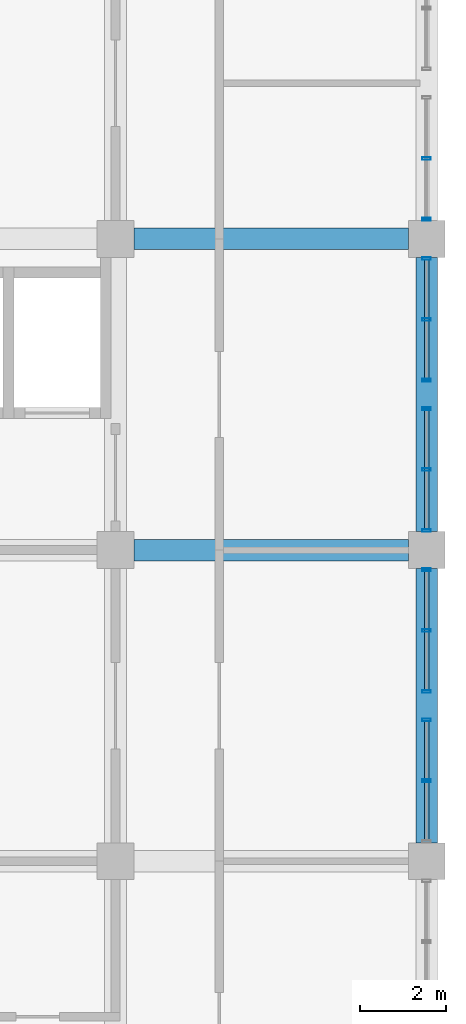
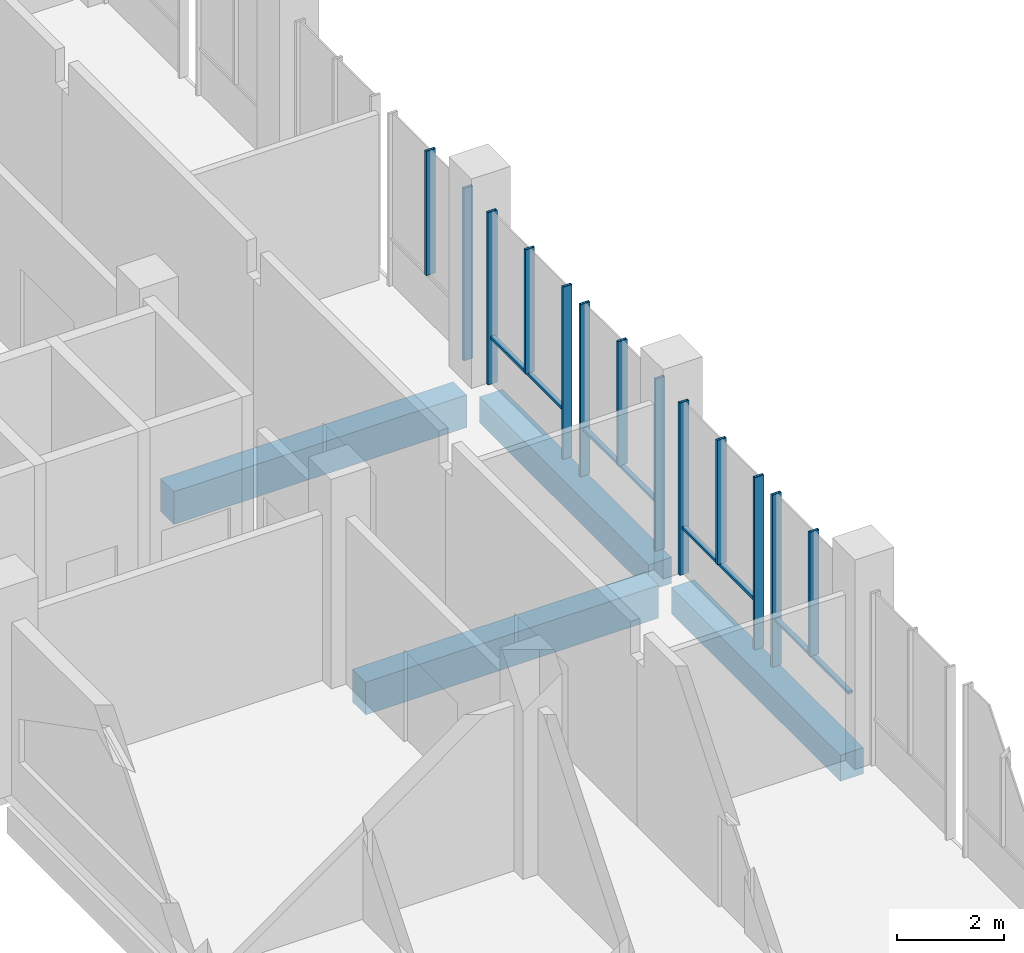
# One storey, part 18 of 40: 17 members, 4 beams, 5 elements without a shape of their own.
"""IFC4 building model written with IfcOpenShell, lengths in metres."""

import ifcopenshell
import ifcopenshell.guid

model = None  # the IFC model being written
_history = None  # IfcOwnerHistory: only IFC2X3 demands one
_inside = {}  # id of a spatial element -> (the spatial element, [elements in it])
_under = {}  # id of a project, library or spatial element -> (it, [spatial elements below it])
_declared = {}  # id of a project -> (the project, [libraries it declares])
_typed = {}  # id of a type object -> (the type object, [elements of that type])
_made_of = {}  # id of a material, layer set ... -> (it, [elements and type objects made of it])


def new_model(schema):
    """Start an empty IFC model of exactly this schema.

    Asked for "IFC4X3", IfcOpenShell would pick the latest addendum, in which some entities
    have other attributes; the version numbers below select the first issue.
    IFC2X3 requires an IfcOwnerHistory on every rooted entity: one is made here for all.
    """
    global model, _history
    if schema == "IFC4X3":
        model = ifcopenshell.file(schema_version=(4, 3, 0, 0))
    else:
        model = ifcopenshell.file(schema=schema)
    _inside.clear()
    _under.clear()
    _declared.clear()
    _typed.clear()
    _made_of.clear()
    _history = None
    if model.schema == "IFC2X3":
        org = make("IfcOrganization", Name="unknown")
        user = make(
            "IfcPersonAndOrganization",
            ThePerson=make("IfcPerson", FamilyName="unknown"),
            TheOrganization=org,
        )
        app = make(
            "IfcApplication",
            ApplicationDeveloper=org,
            Version="unknown",
            ApplicationFullName="unknown",
            ApplicationIdentifier="unknown",
        )
        _history = make(
            "IfcOwnerHistory",
            OwningUser=user,
            OwningApplication=app,
            ChangeAction="ADDED",
            CreationDate=0,
        )
    return model


def make(cls, **values):
    """One entity of the class cls with the attributes given. An attribute that is None is left unset."""
    return model.create_entity(
        cls, **{name: value for name, value in values.items() if value is not None}
    )


def rooted(cls, **values):
    """An entity with a GlobalId (a new one), such as an element, a storey or a relation."""
    return make(cls, GlobalId=ifcopenshell.guid.new(), OwnerHistory=_history, **values)


def si_unit(unit_type, name, prefix=None):
    """IfcSIUnit, for example si_unit("LENGTHUNIT", "METRE", prefix="MILLI")."""
    return make("IfcSIUnit", UnitType=unit_type, Prefix=prefix, Name=name)


def assignment(units):
    """IfcUnitAssignment: the units of a project."""
    return None if units is None else make("IfcUnitAssignment", Units=units)


def point(xyz):
    """IfcCartesianPoint."""
    return None if xyz is None else make("IfcCartesianPoint", Coordinates=xyz)


def direction(xyz):
    """IfcDirection."""
    return None if xyz is None else make("IfcDirection", DirectionRatios=xyz)


def frame(location, z_axis=None, x_axis=None):
    """IfcAxis2Placement3D, a coordinate frame: its origin and axes. An axis left out is left unset."""
    return make(
        "IfcAxis2Placement3D",
        Location=point(location),
        Axis=direction(z_axis),
        RefDirection=direction(x_axis),
    )


def frame_2d(location, x_axis=None):
    """IfcAxis2Placement2D, a coordinate frame in the plane: its origin and x axis."""
    return make(
        "IfcAxis2Placement2D", Location=point(location), RefDirection=direction(x_axis)
    )


def origin():
    """The frame at (0, 0, 0) with its axes left unset."""
    return frame((0.0, 0.0, 0.0))


def origin_2d():
    """The frame at (0, 0) in the plane with its x axis left unset."""
    return frame_2d((0.0, 0.0))


def place(relative_to, where):
    """IfcLocalPlacement: puts the frame where relative to a parent placement (None: the world)."""
    return make(
        "IfcLocalPlacement", PlacementRelTo=relative_to, RelativePlacement=where
    )


def context(
    kind, dimensions, precision=None, world=None, true_north=None, identifier=None
):
    """IfcGeometricRepresentationContext, for example the 3D "Model" context."""
    return make(
        "IfcGeometricRepresentationContext",
        ContextIdentifier=identifier,
        ContextType=kind,
        CoordinateSpaceDimension=dimensions,
        Precision=precision,
        WorldCoordinateSystem=world,
        TrueNorth=true_north,
    )


def subcontext(parent, identifier, kind, view, scale=None):
    """IfcGeometricRepresentationSubContext, for example "Body" below "Model"."""
    return make(
        "IfcGeometricRepresentationSubContext",
        ContextIdentifier=identifier,
        ContextType=kind,
        ParentContext=parent,
        TargetScale=scale,
        TargetView=view,
    )


def project(units=None, contexts=None):
    """IfcProject with its units and contexts."""
    return rooted(
        "IfcProject",
        Name="project",
        RepresentationContexts=contexts,
        UnitsInContext=assignment(units),
    )


def spatial(cls, under=None, at=None, **own):
    """A site, building, storey or space (cls), placed at a placement, below another one or the project."""
    s = rooted(cls, ObjectPlacement=at, **own)
    if under is not None:
        _under.setdefault(under.id(), (under, []))[1].append(s)
    return s


def profile(cls, at=None, kind="AREA", **sizes):
    """A parametric profile (cls). Its sizes go by their IFC names, for example OverallWidth=200.0."""
    return make(cls, ProfileType=kind, Position=at, **sizes)


def rectangle(**sizes):
    """IfcRectangleProfileDef."""
    return profile("IfcRectangleProfileDef", **sizes)


def hollow_rectangle(**sizes):
    """IfcRectangleHollowProfileDef."""
    return profile("IfcRectangleHollowProfileDef", **sizes)


def extrude(swept, where, along, depth):
    """IfcExtrudedAreaSolid: the profile swept, set in the frame where, extruded along a direction by depth."""
    return make(
        "IfcExtrudedAreaSolid",
        SweptArea=swept,
        Position=where,
        ExtrudedDirection=direction(along),
        Depth=depth,
    )


def shape(context_of_items, identifier, shape_type, items):
    """IfcShapeRepresentation: the items that make up one representation, for example the "Body"."""
    return make(
        "IfcShapeRepresentation",
        ContextOfItems=context_of_items,
        RepresentationIdentifier=identifier,
        RepresentationType=shape_type,
        Items=items,
    )


def material(Name=None, Category=None):
    """IfcMaterial."""
    return make("IfcMaterial", Name=Name, Category=Category)


def material_profile(
    of_material, cross_section, Name=None, Category=None, Priority=None
):
    """IfcMaterialProfile: a cross section and its material."""
    return make(
        "IfcMaterialProfile",
        Name=Name,
        Material=of_material,
        Profile=cross_section,
        Priority=Priority,
        Category=Category,
    )


def profile_set(profiles, Name=None, composite=None):
    """IfcMaterialProfileSet."""
    return make(
        "IfcMaterialProfileSet",
        Name=Name,
        MaterialProfiles=profiles,
        CompositeProfile=composite,
    )


def made_of(thing, what):
    """Note that an element or type object is made of a material, layer set ...; save() writes the relation."""
    if what is not None:
        _made_of.setdefault(what.id(), (what, []))[1].append(thing)
    return thing


def type_object(cls, material=None, **own):
    """A type object (cls), such as IfcWallType, which elements share."""
    return made_of(rooted(cls, **own), material)


def element(
    cls,
    number,
    at=None,
    inside=None,
    cuts=None,
    type_object=None,
    material=None,
    context=None,
    identifier="Body",
    shape_type=None,
    held_by="IfcProductDefinitionShape",
    body=None,
    shapes=None,
    **own,
):
    """One element of the class cls, such as IfcWall. Its Tag is "e" and its number.

    at: its placement. inside: the storey or other place that contains it. cuts: it is an
    opening in that element (IfcRelVoidsElement). A single representation is given by context,
    identifier, shape_type and body (its items); several are given by shapes. held_by: the class
    of the entity that holds the representations. save() writes the other relations.
    """
    e = rooted(cls, Tag="e%d" % number, ObjectPlacement=at, **own)
    if body is not None:
        shapes = [shape(context, identifier, shape_type, body)]
    if shapes is not None:
        e.Representation = make(held_by, Representations=shapes)
    if inside is not None:
        _inside.setdefault(inside.id(), (inside, []))[1].append(e)
    if cuts is not None:
        rooted(
            "IfcRelVoidsElement", RelatingBuildingElement=cuts, RelatedOpeningElement=e
        )
    if type_object is not None:
        _typed.setdefault(type_object.id(), (type_object, []))[1].append(e)
    return made_of(e, material)


def aggregate(whole, parts):
    """IfcRelAggregates: a whole, such as a stair, and the parts it consists of."""
    return rooted("IfcRelAggregates", RelatingObject=whole, RelatedObjects=parts)


def save(model, path):
    """Write the relations noted so far, then the file.

    IfcRelAggregates (storeys below a building ...), IfcRelContainedInSpatialStructure (elements
    in a storey), IfcRelDefinesByType, IfcRelAssociatesMaterial and IfcRelDeclares: one each for
    every whole, place, type object, material and project.
    """
    for whole, parts in _under.values():
        aggregate(whole, parts)
    for where, things in _inside.values():
        rooted(
            "IfcRelContainedInSpatialStructure",
            RelatedElements=things,
            RelatingStructure=where,
        )
    for kind, things in _typed.values():
        rooted("IfcRelDefinesByType", RelatedObjects=things, RelatingType=kind)
    for what, things in _made_of.values():
        rooted("IfcRelAssociatesMaterial", RelatedObjects=things, RelatingMaterial=what)
    for by, libraries in _declared.values():
        rooted("IfcRelDeclares", RelatingContext=by, RelatedDefinitions=libraries)
    model.write(path)


model = new_model("IFC4")

# Units and contexts
model_context = context("Model", 3, precision=1e-05, world=origin(), true_north=direction((0.0, 1.0)))
body_context = subcontext(model_context, "Body", "Model", "MODEL_VIEW")
ifc_project = project(units=[si_unit("LENGTHUNIT", "METRE"), si_unit("AREAUNIT", "SQUARE_METRE"), si_unit("VOLUMEUNIT", "CUBIC_METRE"), si_unit("PLANEANGLEUNIT", "RADIAN"), si_unit("MASSUNIT", "GRAM", prefix="KILO")], contexts=[model_context])

# Site, building, storey
site_placement = place(None, origin())
site = spatial("IfcSite", under=ifc_project, at=site_placement, CompositionType="ELEMENT")
building_placement = place(site_placement, origin())
building = spatial("IfcBuilding", under=site, at=building_placement, Name="Silangan Lancet Faculty of Sciences", CompositionType="ELEMENT")
storey_placement = place(building_placement, frame((0.0, 0.0, 16.800048828125)))
storey = spatial("IfcBuildingStorey", under=building, at=storey_placement, Name="L03", CompositionType="ELEMENT", Elevation=16.800048828125)

# Beams
ifc_material_1 = material(Name="Concrete C40/50", Category="concrete")
ifc_material_profile_1 = material_profile(ifc_material_1, rectangle(XDim=0.5, YDim=0.60009765625, at=origin_2d()), Name="RC 500x600")
ifc_profile_set_1 = profile_set([ifc_material_profile_1], Name="Concrete C40/50")
beam_type_1 = type_object("IfcBeamType", Name="BEAM RC 500x600", PredefinedType="BEAM", material=ifc_profile_set_1)
for number, where, z_axis, x_axis, name in (
    (1, (86.39990234375, 14.824951171875, -0.550048828125), (0.0, 1.0, 0.0), (-1.0, 0.0, 0.0), "BM-L03-13C-13D"),
    (2, (86.39990234375, 22.02490234375, -0.550048828125), (0.0, 1.0, 0.0), (-1.0, 0.0, 0.0), "BM-L03-13D-13E"),
):
    element("IfcBeam", number, at=place(storey_placement, frame(where, z_axis=z_axis, x_axis=x_axis)), inside=storey, type_object=beam_type_1, Name=name, PredefinedType="BEAM", context=body_context, shape_type="SweptSolid", body=[
        extrude(rectangle(XDim=0.5, YDim=0.60009765625, at=origin_2d()), origin(), (0.0, 0.0, 1.0), 6.35009765625),
    ])
ifc_material_2 = material(Name="Concrete C40/50", Category="concrete")
ifc_material_profile_2 = material_profile(ifc_material_2, rectangle(XDim=0.5, YDim=0.75, at=origin_2d()), Name="RC 500x750")
ifc_profile_set_2 = profile_set([ifc_material_profile_2], Name="Concrete C40/50")
beam_type_2 = type_object("IfcBeamType", Name="BEAM RC 500x750", PredefinedType="BEAM", material=ifc_profile_set_2)
for number, where, z_axis, x_axis, name in (
    (3, (79.625, 21.60009765625, -0.625), (1.0, 0.0, 0.0), (0.0, 1.0, 0.0), "BM-L03-12D-13D"),
    (4, (79.625, 28.800048828125, -0.625), (1.0, 0.0, 0.0), (0.0, 1.0, 0.0), "BM-L03-12E-13E"),
):
    element("IfcBeam", number, at=place(storey_placement, frame(where, z_axis=z_axis, x_axis=x_axis)), inside=storey, type_object=beam_type_2, Name=name, PredefinedType="BEAM", context=body_context, shape_type="SweptSolid", body=[
        extrude(rectangle(XDim=0.5, YDim=0.75, at=origin_2d()), origin(), (0.0, 0.0, 1.0), 6.35009765625),
    ])

# Curtain wall, members
ifc_material_3 = material(Name="Aluminium framed curtain wall with insulated glass", Category="aluminium")
curtain_wall_type = type_object("IfcCurtainWallType", Name="CW1 Commons and east block glazing", PredefinedType="NOTDEFINED", material=ifc_material_3)
curtain_wall_1_placement = place(storey_placement, origin())
curtain_wall_1 = element("IfcCurtainWall", 5, at=curtain_wall_1_placement, inside=storey, type_object=curtain_wall_type, Name="CW1 East commons L03 bay 3", PredefinedType="NOTDEFINED")
ifc_material_4 = material(Name="Aluminium 6063-T6 extrusion", Category="aluminium")
ifc_material_profile_3 = material_profile(ifc_material_4, hollow_rectangle(XDim=0.06005859375, YDim=0.199951171875, WallThickness=0.00390625, at=origin_2d()), Name="AL BOX 60x200x4")
ifc_profile_set_3 = profile_set([ifc_material_profile_3], Name="Aluminium 6063-T6 extrusion")
member_type_1 = type_object("IfcMemberType", Name="CM1 Mullion 60x200", PredefinedType="MULLION", material=ifc_profile_set_3)
member_1_placement = place(storey_placement, frame((86.39990234375, 17.669921875, 0.0), z_axis=(0.0, 0.0, 1.0), x_axis=(0.0, 1.0, 0.0)))
member_1 = element("IfcMember", 6, at=member_1_placement, type_object=member_type_1, Name="CW1 East commons L03 bay 3 mullion 2", PredefinedType="MULLION", context=body_context, shape_type="SweptSolid", body=[
    extrude(hollow_rectangle(XDim=0.06005859375, YDim=0.199951171875, WallThickness=0.00390625, at=origin_2d()), origin(), (0.0, 0.0, 1.0), 3.949951171875),
])
member_2_placement = place(storey_placement, frame((86.39990234375, 16.262451171875, 1.099853515625), z_axis=(0.0, 0.0, 1.0), x_axis=(0.0, 1.0, 0.0)))
member_2 = element("IfcMember", 7, at=member_2_placement, type_object=member_type_1, Name="CW1 East commons L03 bay 3 mullion 3", PredefinedType="MULLION", context=body_context, shape_type="SweptSolid", body=[
    extrude(hollow_rectangle(XDim=0.06005859375, YDim=0.199951171875, WallThickness=0.00390625, at=origin_2d()), origin(), (0.0, 0.0, 1.0), 2.85009765625),
])

curtain_wall_2_placement = place(storey_placement, origin())
curtain_wall_2 = element("IfcCurtainWall", 8, at=curtain_wall_2_placement, inside=storey, type_object=curtain_wall_type, Name="CW1 East commons L03 bay 4", PredefinedType="NOTDEFINED")
member_3_placement = place(storey_placement, frame((86.39990234375, 18.330078125, 0.0), z_axis=(0.0, 0.0, 1.0), x_axis=(0.0, 1.0, 0.0)))
member_3 = element("IfcMember", 9, at=member_3_placement, type_object=member_type_1, Name="CW1 East commons L03 bay 4 mullion 1", PredefinedType="MULLION", context=body_context, shape_type="SweptSolid", body=[
    extrude(hollow_rectangle(XDim=0.06005859375, YDim=0.199951171875, WallThickness=0.00390625, at=origin_2d()), origin(), (0.0, 0.0, 1.0), 3.949951171875),
])
member_4_placement = place(storey_placement, frame((86.39990234375, 21.14501953125, 0.0), z_axis=(0.0, 0.0, 1.0), x_axis=(0.0, 1.0, 0.0)))
member_4 = element("IfcMember", 10, at=member_4_placement, type_object=member_type_1, Name="CW1 East commons L03 bay 4 mullion 2", PredefinedType="MULLION", context=body_context, shape_type="SweptSolid", body=[
    extrude(hollow_rectangle(XDim=0.06005859375, YDim=0.199951171875, WallThickness=0.00390625, at=origin_2d()), origin(), (0.0, 0.0, 1.0), 3.949951171875),
])
member_5_placement = place(storey_placement, frame((86.39990234375, 19.737548828125, 1.099853515625), z_axis=(0.0, 0.0, 1.0), x_axis=(0.0, 1.0, 0.0)))
member_5 = element("IfcMember", 11, at=member_5_placement, type_object=member_type_1, Name="CW1 East commons L03 bay 4 mullion 3", PredefinedType="MULLION", context=body_context, shape_type="SweptSolid", body=[
    extrude(hollow_rectangle(XDim=0.06005859375, YDim=0.199951171875, WallThickness=0.00390625, at=origin_2d()), origin(), (0.0, 0.0, 1.0), 2.85009765625),
])

curtain_wall_3_placement = place(storey_placement, origin())
curtain_wall_3 = element("IfcCurtainWall", 12, at=curtain_wall_3_placement, inside=storey, type_object=curtain_wall_type, Name="CW1 East commons L03 bay 5", PredefinedType="NOTDEFINED")
member_6_placement = place(storey_placement, frame((86.39990234375, 22.054931640625, 0.0), z_axis=(0.0, 0.0, 1.0), x_axis=(0.0, 1.0, 0.0)))
member_6 = element("IfcMember", 13, at=member_6_placement, type_object=member_type_1, Name="CW1 East commons L03 bay 5 mullion 1", PredefinedType="MULLION", context=body_context, shape_type="SweptSolid", body=[
    extrude(hollow_rectangle(XDim=0.06005859375, YDim=0.199951171875, WallThickness=0.00390625, at=origin_2d()), origin(), (0.0, 0.0, 1.0), 3.949951171875),
])
member_7_placement = place(storey_placement, frame((86.39990234375, 24.8701171875, 0.0), z_axis=(0.0, 0.0, 1.0), x_axis=(0.0, 1.0, 0.0)))
member_7 = element("IfcMember", 14, at=member_7_placement, type_object=member_type_1, Name="CW1 East commons L03 bay 5 mullion 2", PredefinedType="MULLION", context=body_context, shape_type="SweptSolid", body=[
    extrude(hollow_rectangle(XDim=0.06005859375, YDim=0.199951171875, WallThickness=0.00390625, at=origin_2d()), origin(), (0.0, 0.0, 1.0), 3.949951171875),
])
member_8_placement = place(storey_placement, frame((86.39990234375, 23.46240234375, 1.099853515625), z_axis=(0.0, 0.0, 1.0), x_axis=(0.0, 1.0, 0.0)))
member_8 = element("IfcMember", 15, at=member_8_placement, type_object=member_type_1, Name="CW1 East commons L03 bay 5 mullion 3", PredefinedType="MULLION", context=body_context, shape_type="SweptSolid", body=[
    extrude(hollow_rectangle(XDim=0.06005859375, YDim=0.199951171875, WallThickness=0.00390625, at=origin_2d()), origin(), (0.0, 0.0, 1.0), 2.85009765625),
])

curtain_wall_4_placement = place(storey_placement, origin())
curtain_wall_4 = element("IfcCurtainWall", 16, at=curtain_wall_4_placement, inside=storey, type_object=curtain_wall_type, Name="CW1 East commons L03 bay 6", PredefinedType="NOTDEFINED")
member_9_placement = place(storey_placement, frame((86.39990234375, 25.530029296875, 0.0), z_axis=(0.0, 0.0, 1.0), x_axis=(0.0, 1.0, 0.0)))
member_9 = element("IfcMember", 17, at=member_9_placement, type_object=member_type_1, Name="CW1 East commons L03 bay 6 mullion 1", PredefinedType="MULLION", context=body_context, shape_type="SweptSolid", body=[
    extrude(hollow_rectangle(XDim=0.06005859375, YDim=0.199951171875, WallThickness=0.00390625, at=origin_2d()), origin(), (0.0, 0.0, 1.0), 3.949951171875),
])
member_10_placement = place(storey_placement, frame((86.39990234375, 28.344970703125, 0.0), z_axis=(0.0, 0.0, 1.0), x_axis=(0.0, 1.0, 0.0)))
member_10 = element("IfcMember", 18, at=member_10_placement, type_object=member_type_1, Name="CW1 East commons L03 bay 6 mullion 2", PredefinedType="MULLION", context=body_context, shape_type="SweptSolid", body=[
    extrude(hollow_rectangle(XDim=0.06005859375, YDim=0.199951171875, WallThickness=0.00390625, at=origin_2d()), origin(), (0.0, 0.0, 1.0), 3.949951171875),
])
member_11_placement = place(storey_placement, frame((86.39990234375, 26.9375, 1.099853515625), z_axis=(0.0, 0.0, 1.0), x_axis=(0.0, 1.0, 0.0)))
member_11 = element("IfcMember", 19, at=member_11_placement, type_object=member_type_1, Name="CW1 East commons L03 bay 6 mullion 3", PredefinedType="MULLION", context=body_context, shape_type="SweptSolid", body=[
    extrude(hollow_rectangle(XDim=0.06005859375, YDim=0.199951171875, WallThickness=0.00390625, at=origin_2d()), origin(), (0.0, 0.0, 1.0), 2.85009765625),
])

curtain_wall_5_placement = place(storey_placement, origin())
curtain_wall_5 = element("IfcCurtainWall", 20, at=curtain_wall_5_placement, inside=storey, type_object=curtain_wall_type, Name="CW1 East commons L03 bay 7", PredefinedType="NOTDEFINED")
member_12_placement = place(storey_placement, frame((86.39990234375, 29.2548828125, 0.0), z_axis=(0.0, 0.0, 1.0), x_axis=(0.0, 1.0, 0.0)))
member_12 = element("IfcMember", 21, at=member_12_placement, type_object=member_type_1, Name="CW1 East commons L03 bay 7 mullion 1", PredefinedType="MULLION", context=body_context, shape_type="SweptSolid", body=[
    extrude(hollow_rectangle(XDim=0.06005859375, YDim=0.199951171875, WallThickness=0.00390625, at=origin_2d()), origin(), (0.0, 0.0, 1.0), 3.949951171875),
])
member_13_placement = place(storey_placement, frame((86.39990234375, 30.662353515625, 1.099853515625), z_axis=(0.0, 0.0, 1.0), x_axis=(0.0, 1.0, 0.0)))
member_13 = element("IfcMember", 22, at=member_13_placement, type_object=member_type_1, Name="CW1 East commons L03 bay 7 mullion 3", PredefinedType="MULLION", context=body_context, shape_type="SweptSolid", body=[
    extrude(hollow_rectangle(XDim=0.06005859375, YDim=0.199951171875, WallThickness=0.00390625, at=origin_2d()), origin(), (0.0, 0.0, 1.0), 2.85009765625),
])
aggregate(curtain_wall_5, [member_12, member_13])

# Member
ifc_material_5 = material(Name="Aluminium 6063-T6 extrusion", Category="aluminium")
ifc_material_profile_4 = material_profile(ifc_material_5, hollow_rectangle(XDim=0.10009765625, YDim=0.06005859375, WallThickness=0.0029296875, at=origin_2d()), Name="AL BOX 100x60x3")
ifc_profile_set_4 = profile_set([ifc_material_profile_4], Name="Aluminium 6063-T6 extrusion")
member_type_2 = type_object("IfcMemberType", Name="CT1 Transom 100x60", PredefinedType="USERDEFINED", material=ifc_profile_set_4)
member_14_placement = place(storey_placement, frame((86.39990234375, 14.885009765625, 1.070068359375), z_axis=(0.0, 1.0, 0.0), x_axis=(-1.0, 0.0, 0.0)))
member_14 = element("IfcMember", 23, at=member_14_placement, type_object=member_type_2, Name="CW1 East commons L03 bay 3 transom 1", ObjectType="TRANSOM", PredefinedType="USERDEFINED", context=body_context, shape_type="SweptSolid", body=[
    extrude(hollow_rectangle(XDim=0.10009765625, YDim=0.06005859375, WallThickness=0.0029296875, at=origin_2d()), origin(), (0.0, 0.0, 1.0), 2.7548828125),
])

aggregate(curtain_wall_1, [member_1, member_2, member_14])

member_15_placement = place(storey_placement, frame((86.39990234375, 18.360107421875, 1.070068359375), z_axis=(0.0, 1.0, 0.0), x_axis=(-1.0, 0.0, 0.0)))
member_15 = element("IfcMember", 24, at=member_15_placement, type_object=member_type_2, Name="CW1 East commons L03 bay 4 transom 1", ObjectType="TRANSOM", PredefinedType="USERDEFINED", context=body_context, shape_type="SweptSolid", body=[
    extrude(hollow_rectangle(XDim=0.10009765625, YDim=0.06005859375, WallThickness=0.0029296875, at=origin_2d()), origin(), (0.0, 0.0, 1.0), 2.7548828125),
])

aggregate(curtain_wall_2, [member_3, member_4, member_5, member_15])

member_16_placement = place(storey_placement, frame((86.39990234375, 22.0849609375, 1.070068359375), z_axis=(0.0, 1.0, 0.0), x_axis=(-1.0, 0.0, 0.0)))
member_16 = element("IfcMember", 25, at=member_16_placement, type_object=member_type_2, Name="CW1 East commons L03 bay 5 transom 1", ObjectType="TRANSOM", PredefinedType="USERDEFINED", context=body_context, shape_type="SweptSolid", body=[
    extrude(hollow_rectangle(XDim=0.10009765625, YDim=0.06005859375, WallThickness=0.0029296875, at=origin_2d()), origin(), (0.0, 0.0, 1.0), 2.755126953125),
])

aggregate(curtain_wall_3, [member_6, member_7, member_8, member_16])

member_17_placement = place(storey_placement, frame((86.39990234375, 25.56005859375, 1.070068359375), z_axis=(0.0, 1.0, 0.0), x_axis=(-1.0, 0.0, 0.0)))
member_17 = element("IfcMember", 26, at=member_17_placement, type_object=member_type_2, Name="CW1 East commons L03 bay 6 transom 1", ObjectType="TRANSOM", PredefinedType="USERDEFINED", context=body_context, shape_type="SweptSolid", body=[
    extrude(hollow_rectangle(XDim=0.10009765625, YDim=0.06005859375, WallThickness=0.0029296875, at=origin_2d()), origin(), (0.0, 0.0, 1.0), 2.7548828125),
])

aggregate(curtain_wall_4, [member_9, member_10, member_11, member_17])

save(model, "model.ifc")
